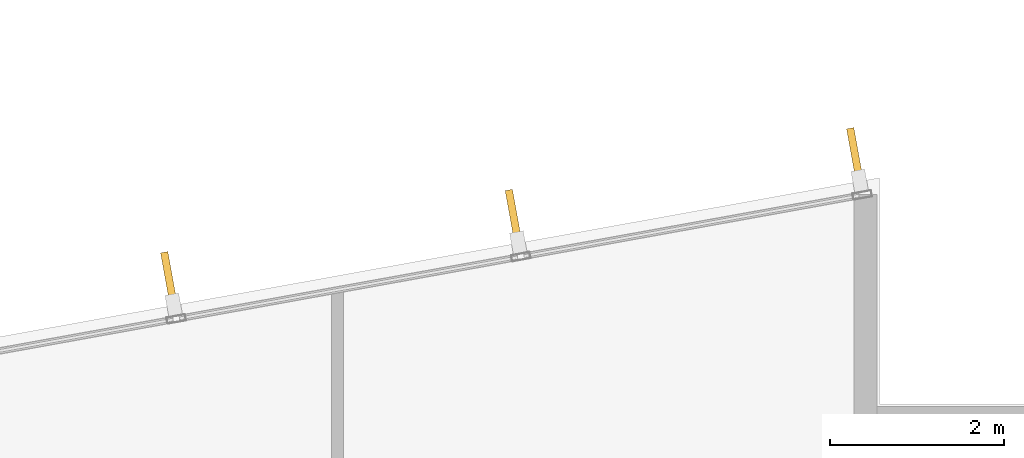
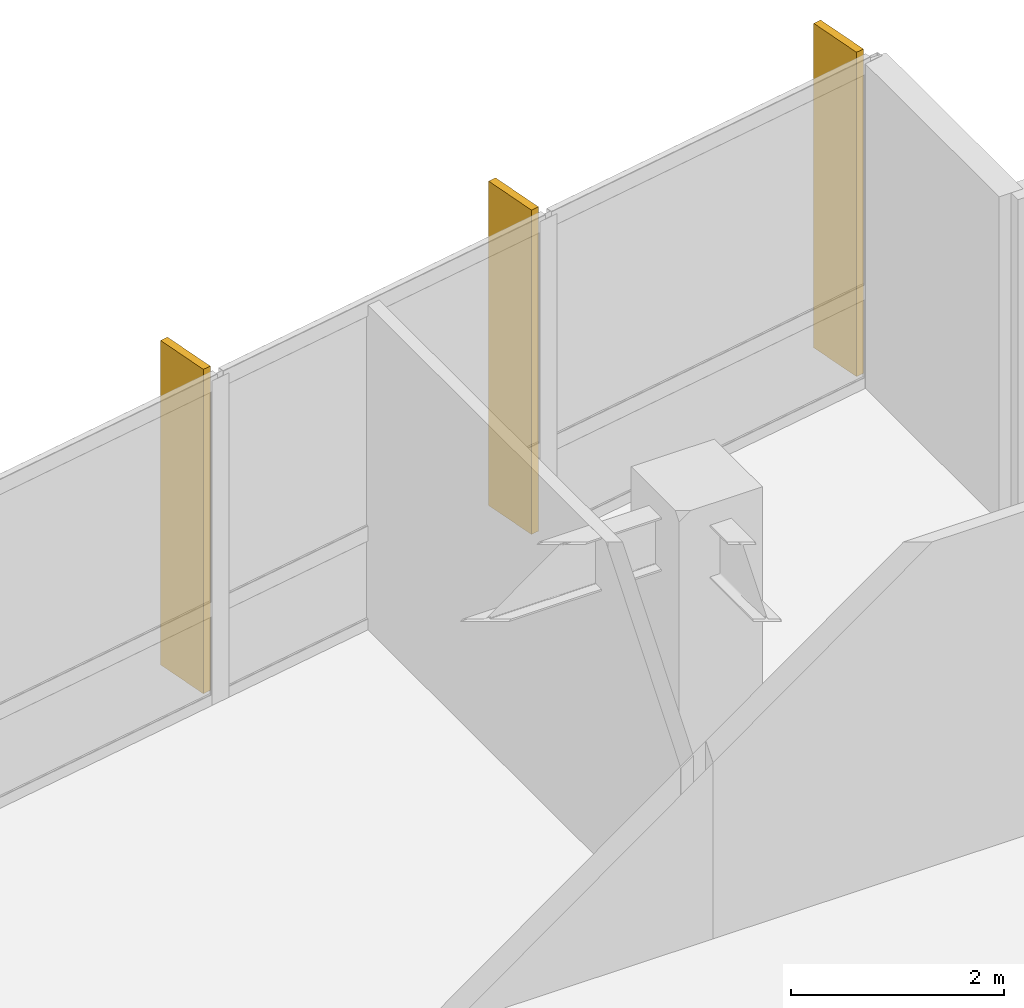
# One storey, part 18 of 18: 3 shading devices.
"""IFC4 building model written with IfcOpenShell, lengths in metres."""

import ifcopenshell
import ifcopenshell.guid

model = None  # the IFC model being written
_history = None  # IfcOwnerHistory: only IFC2X3 demands one
_inside = {}  # id of a spatial element -> (the spatial element, [elements in it])
_under = {}  # id of a project, library or spatial element -> (it, [spatial elements below it])
_declared = {}  # id of a project -> (the project, [libraries it declares])
_typed = {}  # id of a type object -> (the type object, [elements of that type])
_made_of = {}  # id of a material, layer set ... -> (it, [elements and type objects made of it])


def new_model(schema):
    """Start an empty IFC model of exactly this schema.

    Asked for "IFC4X3", IfcOpenShell would pick the latest addendum, in which some entities
    have other attributes; the version numbers below select the first issue.
    IFC2X3 requires an IfcOwnerHistory on every rooted entity: one is made here for all.
    """
    global model, _history
    if schema == "IFC4X3":
        model = ifcopenshell.file(schema_version=(4, 3, 0, 0))
    else:
        model = ifcopenshell.file(schema=schema)
    _inside.clear()
    _under.clear()
    _declared.clear()
    _typed.clear()
    _made_of.clear()
    _history = None
    if model.schema == "IFC2X3":
        org = make("IfcOrganization", Name="unknown")
        user = make(
            "IfcPersonAndOrganization",
            ThePerson=make("IfcPerson", FamilyName="unknown"),
            TheOrganization=org,
        )
        app = make(
            "IfcApplication",
            ApplicationDeveloper=org,
            Version="unknown",
            ApplicationFullName="unknown",
            ApplicationIdentifier="unknown",
        )
        _history = make(
            "IfcOwnerHistory",
            OwningUser=user,
            OwningApplication=app,
            ChangeAction="ADDED",
            CreationDate=0,
        )
    return model


def make(cls, **values):
    """One entity of the class cls with the attributes given. An attribute that is None is left unset."""
    return model.create_entity(
        cls, **{name: value for name, value in values.items() if value is not None}
    )


def rooted(cls, **values):
    """An entity with a GlobalId (a new one), such as an element, a storey or a relation."""
    return make(cls, GlobalId=ifcopenshell.guid.new(), OwnerHistory=_history, **values)


def si_unit(unit_type, name, prefix=None):
    """IfcSIUnit, for example si_unit("LENGTHUNIT", "METRE", prefix="MILLI")."""
    return make("IfcSIUnit", UnitType=unit_type, Prefix=prefix, Name=name)


def assignment(units):
    """IfcUnitAssignment: the units of a project."""
    return None if units is None else make("IfcUnitAssignment", Units=units)


def point(xyz):
    """IfcCartesianPoint."""
    return None if xyz is None else make("IfcCartesianPoint", Coordinates=xyz)


def direction(xyz):
    """IfcDirection."""
    return None if xyz is None else make("IfcDirection", DirectionRatios=xyz)


def frame(location, z_axis=None, x_axis=None):
    """IfcAxis2Placement3D, a coordinate frame: its origin and axes. An axis left out is left unset."""
    return make(
        "IfcAxis2Placement3D",
        Location=point(location),
        Axis=direction(z_axis),
        RefDirection=direction(x_axis),
    )


def frame_2d(location, x_axis=None):
    """IfcAxis2Placement2D, a coordinate frame in the plane: its origin and x axis."""
    return make(
        "IfcAxis2Placement2D", Location=point(location), RefDirection=direction(x_axis)
    )


def origin():
    """The frame at (0, 0, 0) with its axes left unset."""
    return frame((0.0, 0.0, 0.0))


def origin_2d():
    """The frame at (0, 0) in the plane with its x axis left unset."""
    return frame_2d((0.0, 0.0))


def place(relative_to, where):
    """IfcLocalPlacement: puts the frame where relative to a parent placement (None: the world)."""
    return make(
        "IfcLocalPlacement", PlacementRelTo=relative_to, RelativePlacement=where
    )


def context(
    kind, dimensions, precision=None, world=None, true_north=None, identifier=None
):
    """IfcGeometricRepresentationContext, for example the 3D "Model" context."""
    return make(
        "IfcGeometricRepresentationContext",
        ContextIdentifier=identifier,
        ContextType=kind,
        CoordinateSpaceDimension=dimensions,
        Precision=precision,
        WorldCoordinateSystem=world,
        TrueNorth=true_north,
    )


def subcontext(parent, identifier, kind, view, scale=None):
    """IfcGeometricRepresentationSubContext, for example "Body" below "Model"."""
    return make(
        "IfcGeometricRepresentationSubContext",
        ContextIdentifier=identifier,
        ContextType=kind,
        ParentContext=parent,
        TargetScale=scale,
        TargetView=view,
    )


def project(units=None, contexts=None):
    """IfcProject with its units and contexts."""
    return rooted(
        "IfcProject",
        Name="project",
        RepresentationContexts=contexts,
        UnitsInContext=assignment(units),
    )


def spatial(cls, under=None, at=None, **own):
    """A site, building, storey or space (cls), placed at a placement, below another one or the project."""
    s = rooted(cls, ObjectPlacement=at, **own)
    if under is not None:
        _under.setdefault(under.id(), (under, []))[1].append(s)
    return s


def profile(cls, at=None, kind="AREA", **sizes):
    """A parametric profile (cls). Its sizes go by their IFC names, for example OverallWidth=200.0."""
    return make(cls, ProfileType=kind, Position=at, **sizes)


def rectangle(**sizes):
    """IfcRectangleProfileDef."""
    return profile("IfcRectangleProfileDef", **sizes)


def extrude(swept, where, along, depth):
    """IfcExtrudedAreaSolid: the profile swept, set in the frame where, extruded along a direction by depth."""
    return make(
        "IfcExtrudedAreaSolid",
        SweptArea=swept,
        Position=where,
        ExtrudedDirection=direction(along),
        Depth=depth,
    )


def shape(context_of_items, identifier, shape_type, items):
    """IfcShapeRepresentation: the items that make up one representation, for example the "Body"."""
    return make(
        "IfcShapeRepresentation",
        ContextOfItems=context_of_items,
        RepresentationIdentifier=identifier,
        RepresentationType=shape_type,
        Items=items,
    )


def material(Name=None, Category=None):
    """IfcMaterial."""
    return make("IfcMaterial", Name=Name, Category=Category)


def layer(
    of_material, thickness, ventilated=None, Name=None, Category=None, Priority=None
):
    """IfcMaterialLayer: one layer of a wall or slab, of a material (None: an air gap)."""
    return make(
        "IfcMaterialLayer",
        Material=of_material,
        LayerThickness=thickness,
        IsVentilated=ventilated,
        Name=Name,
        Category=Category,
        Priority=Priority,
    )


def layer_set(layers, Name=None):
    """IfcMaterialLayerSet."""
    return make("IfcMaterialLayerSet", MaterialLayers=layers, LayerSetName=Name)


def made_of(thing, what):
    """Note that an element or type object is made of a material, layer set ...; save() writes the relation."""
    if what is not None:
        _made_of.setdefault(what.id(), (what, []))[1].append(thing)
    return thing


def type_object(cls, material=None, **own):
    """A type object (cls), such as IfcWallType, which elements share."""
    return made_of(rooted(cls, **own), material)


def element(
    cls,
    number,
    at=None,
    inside=None,
    cuts=None,
    type_object=None,
    material=None,
    context=None,
    identifier="Body",
    shape_type=None,
    held_by="IfcProductDefinitionShape",
    body=None,
    shapes=None,
    **own,
):
    """One element of the class cls, such as IfcWall. Its Tag is "e" and its number.

    at: its placement. inside: the storey or other place that contains it. cuts: it is an
    opening in that element (IfcRelVoidsElement). A single representation is given by context,
    identifier, shape_type and body (its items); several are given by shapes. held_by: the class
    of the entity that holds the representations. save() writes the other relations.
    """
    e = rooted(cls, Tag="e%d" % number, ObjectPlacement=at, **own)
    if body is not None:
        shapes = [shape(context, identifier, shape_type, body)]
    if shapes is not None:
        e.Representation = make(held_by, Representations=shapes)
    if inside is not None:
        _inside.setdefault(inside.id(), (inside, []))[1].append(e)
    if cuts is not None:
        rooted(
            "IfcRelVoidsElement", RelatingBuildingElement=cuts, RelatedOpeningElement=e
        )
    if type_object is not None:
        _typed.setdefault(type_object.id(), (type_object, []))[1].append(e)
    return made_of(e, material)


def aggregate(whole, parts):
    """IfcRelAggregates: a whole, such as a stair, and the parts it consists of."""
    return rooted("IfcRelAggregates", RelatingObject=whole, RelatedObjects=parts)


def save(model, path):
    """Write the relations noted so far, then the file.

    IfcRelAggregates (storeys below a building ...), IfcRelContainedInSpatialStructure (elements
    in a storey), IfcRelDefinesByType, IfcRelAssociatesMaterial and IfcRelDeclares: one each for
    every whole, place, type object, material and project.
    """
    for whole, parts in _under.values():
        aggregate(whole, parts)
    for where, things in _inside.values():
        rooted(
            "IfcRelContainedInSpatialStructure",
            RelatedElements=things,
            RelatingStructure=where,
        )
    for kind, things in _typed.values():
        rooted("IfcRelDefinesByType", RelatedObjects=things, RelatingType=kind)
    for what, things in _made_of.values():
        rooted("IfcRelAssociatesMaterial", RelatedObjects=things, RelatingMaterial=what)
    for by, libraries in _declared.values():
        rooted("IfcRelDeclares", RelatingContext=by, RelatedDefinitions=libraries)
    model.write(path)


model = new_model("IFC4")

# Units and contexts
model_context = context("Model", 3, precision=1e-05, world=origin(), true_north=direction((0.0, 1.0)))
body_context = subcontext(model_context, "Body", "Model", "MODEL_VIEW")
ifc_project = project(units=[si_unit("LENGTHUNIT", "METRE"), si_unit("AREAUNIT", "SQUARE_METRE"), si_unit("VOLUMEUNIT", "CUBIC_METRE"), si_unit("PLANEANGLEUNIT", "RADIAN"), si_unit("MASSUNIT", "GRAM", prefix="KILO")], contexts=[model_context])

# Site, building, storey
site_placement = place(None, origin())
site = spatial("IfcSite", under=ifc_project, at=site_placement, CompositionType="ELEMENT")
building_placement = place(site_placement, origin())
building = spatial("IfcBuilding", under=site, at=building_placement, Name="Varnakote Quay Hospital", CompositionType="ELEMENT")
storey_placement = place(building_placement, frame((0.0, 0.0, 30.39990234375)))
storey = spatial("IfcBuildingStorey", under=building, at=storey_placement, Name="L07", CompositionType="ELEMENT", Elevation=30.39990234375)

# Shading devices
ifc_material = material(Name="Anodised aluminium 6063-T6 Bronze", Category="aluminium")
ifc_layer = layer(ifc_material, 0.0849609375)
ifc_layer_set = layer_set([ifc_layer], Name="Anodised aluminium 6063-T6 Bronze")
shading_device_type = type_object("IfcShadingDeviceType", Name="SHD-BRONZE-FIN-620", PredefinedType="USERDEFINED", material=ifc_layer_set)
for number, where, z_axis, x_axis, name in (
    (1, (55.319580078125, 34.664306640625, 0.0), (0.0, 0.0, 1.0), (0.177771795263, -0.984071739666, 0.0), "L07 Anodised Bronze Vertical Shading FIN"),
    (2, (51.393798828125, 33.954833984375, 0.0), (0.0, 0.0, 1.0), (0.177771795263, -0.984071739666, 0.0), "L07 Anodised Bronze Vertical Shading FIN"),
    (3, (47.43115234375, 33.23876953125, 0.0), (0.0, 0.0, 1.0), (0.177771795263, -0.984071739666, 0.0), "L07 Anodised Bronze Vertical Shading FIN"),
):
    element("IfcShadingDevice", number, at=place(storey_placement, frame(where, z_axis=z_axis, x_axis=x_axis)), inside=storey, type_object=shading_device_type, Name=name, ObjectType="FIN", PredefinedType="USERDEFINED", context=body_context, shape_type="SweptSolid", body=[
        extrude(rectangle(XDim=0.6201171875, YDim=0.0849609375, at=origin_2d()), origin(), (0.0, 0.0, 1.0), 3.7099609375),
    ])

save(model, "model.ifc")
